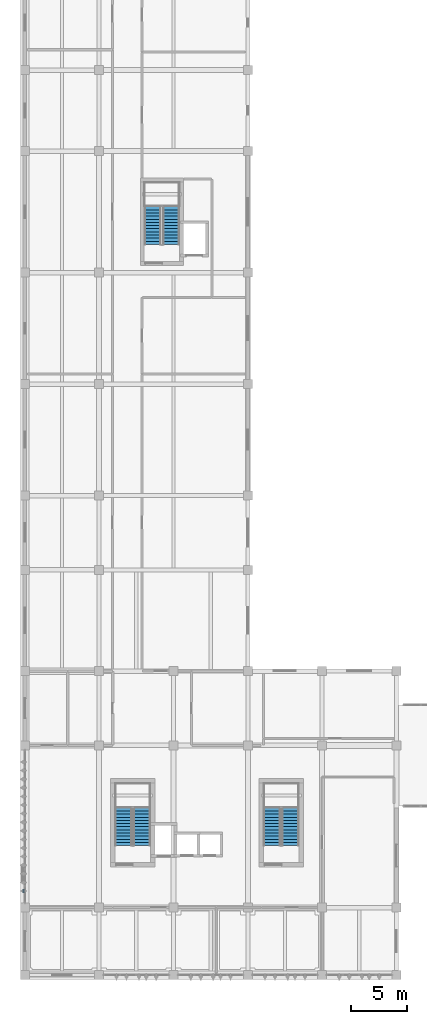
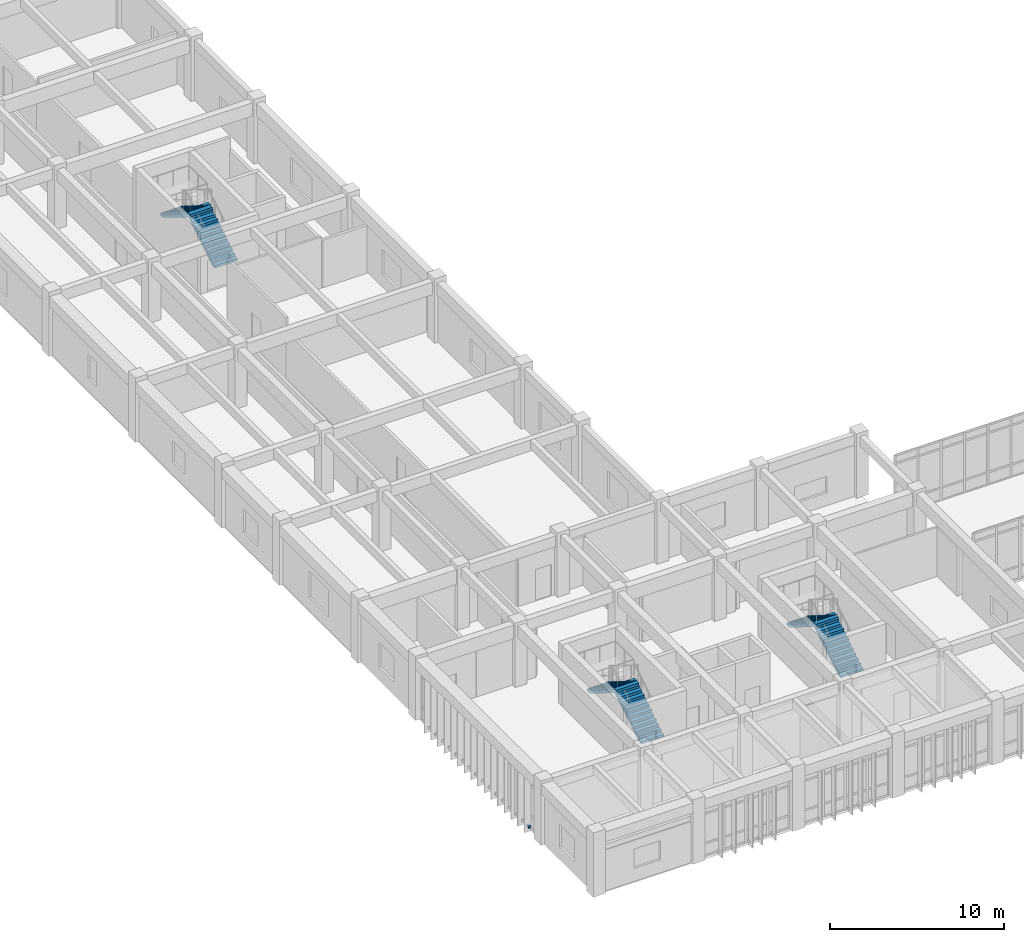
# One storey, part 47 of 54: 6 stair flights, 1 discrete accessory, 3 elements without a shape of their own.
"""IFC4 building model written with IfcOpenShell, lengths in metres."""

from ifc_helpers import new_model, si_unit, direction, frame, origin, origin_2d, place, context, subcontext, project, spatial, polyline, rectangle, outline, extrude, material, layer, layer_set, type_object, element, aggregate, save


model = new_model("IFC4")

# Units and contexts
model_context = context("Model", 3, precision=1e-05, world=origin(), true_north=direction((0.0, 1.0)))
body_context = subcontext(model_context, "Body", "Model", "MODEL_VIEW")
ifc_project = project(units=[si_unit("LENGTHUNIT", "METRE"), si_unit("AREAUNIT", "SQUARE_METRE"), si_unit("VOLUMEUNIT", "CUBIC_METRE"), si_unit("PLANEANGLEUNIT", "RADIAN"), si_unit("MASSUNIT", "GRAM", prefix="KILO")], contexts=[model_context])

# Site, building, storey
site_placement = place(None, origin())
site = spatial("IfcSite", under=ifc_project, at=site_placement, CompositionType="ELEMENT")
building_placement = place(site_placement, origin())
building = spatial("IfcBuilding", under=site, at=building_placement, Name="Miralva Faculty of Natural Sciences", CompositionType="ELEMENT")
storey_placement = place(building_placement, frame((0.0, 0.0, 19.5)))
storey = spatial("IfcBuildingStorey", under=building, at=storey_placement, Name="L04", CompositionType="ELEMENT", Elevation=19.5)

# Stair, stair flights
ifc_material_1 = material(Name="Concrete C40/50", Category="concrete")
stair_type = type_object("IfcStairType", Name="ST-CORE-450", PredefinedType="HALF_TURN_STAIR", material=ifc_material_1)
stair_1_placement = place(storey_placement, origin())
stair_1 = element("IfcStair", 1, at=stair_1_placement, inside=storey, type_object=stair_type, Name="Exit Stair Core C1 (ST-03) L04", PredefinedType="HALF_TURN_STAIR")
ifc_layer = layer(ifc_material_1, 0.159912109375, Name="SFL-160-166")
ifc_layer_set = layer_set([ifc_layer], Name="Concrete C40/50")
stair_flight_type = type_object("IfcStairFlightType", Name="SFL-160-166", PredefinedType="STRAIGHT", material=ifc_layer_set)
stair_flight_1_placement = place(storey_placement, frame((13.39990234375, 14.5, 0.0), z_axis=(0.0, 0.0, 1.0), x_axis=(0.0, 1.0, 0.0)))
stair_flight_1 = element("IfcStairFlight", 2, at=stair_flight_1_placement, type_object=stair_flight_type, Name="ST-03 flight 1", NumberOfRisers=13, NumberOfTreads=12, PredefinedType="STRAIGHT", RiserHeight=0.173076923, TreadLength=0.28, context=body_context, shape_type="SweptSolid", body=[
    extrude(outline(polyline([(0.0, 0.0), (0.0, 0.173095703125), (0.280029296875, 0.173095703125), (0.280029296875, 0.34619140625), (0.56005859375, 0.34619140625), (0.56005859375, 0.519287109375), (0.840087890625, 0.519287109375), (0.840087890625, 0.6923828125), (1.1201171875, 0.6923828125), (1.1201171875, 0.865478515625), (1.39990234375, 0.865478515625), (1.39990234375, 1.03857421875), (1.679931640625, 1.03857421875), (1.679931640625, 1.21142578125), (1.9599609375, 1.21142578125), (1.9599609375, 1.384521484375), (2.239990234375, 1.384521484375), (2.239990234375, 1.5576171875), (2.52001953125, 1.5576171875), (2.52001953125, 1.730712890625), (2.800048828125, 1.730712890625), (2.800048828125, 1.90380859375), (3.080078125, 1.90380859375), (3.080078125, 2.076904296875), (3.360107421875, 2.076904296875), (3.360107421875, 2.25), (3.360107421875, 1.900634765625), (0.28515625, 0.0), (0.0, 0.0)])), frame((0.0, 0.75, 0.0), z_axis=(0.0, -1.0, 0.0), x_axis=(1.0, 0.0, 0.0)), (0.0, 0.0, 1.0), 1.5),
])
stair_flight_2_placement = place(storey_placement, frame((11.75, 17.860107421875, 2.25), z_axis=(0.0, 0.0, 1.0), x_axis=(0.0, -1.0, 0.0)))
stair_flight_2 = element("IfcStairFlight", 3, at=stair_flight_2_placement, type_object=stair_flight_type, Name="ST-03 flight 2", NumberOfRisers=13, NumberOfTreads=12, PredefinedType="STRAIGHT", RiserHeight=0.173076923, TreadLength=0.28, context=body_context, shape_type="SweptSolid", body=[
    extrude(outline(polyline([(0.0, 0.0), (0.0, 0.173095703125), (0.280029296875, 0.173095703125), (0.280029296875, 0.34619140625), (0.56005859375, 0.34619140625), (0.56005859375, 0.519287109375), (0.840087890625, 0.519287109375), (0.840087890625, 0.6923828125), (1.1201171875, 0.6923828125), (1.1201171875, 0.865478515625), (1.39990234375, 0.865478515625), (1.39990234375, 1.03857421875), (1.679931640625, 1.03857421875), (1.679931640625, 1.21142578125), (1.9599609375, 1.21142578125), (1.9599609375, 1.384521484375), (2.239990234375, 1.384521484375), (2.239990234375, 1.5576171875), (2.52001953125, 1.5576171875), (2.52001953125, 1.730712890625), (2.800048828125, 1.730712890625), (2.800048828125, 1.90380859375), (3.080078125, 1.90380859375), (3.080078125, 2.076904296875), (3.360107421875, 2.076904296875), (3.360107421875, 2.25), (3.360107421875, 1.900634765625), (0.28515625, 0.0), (0.0, 0.0)])), frame((0.0, 0.75, 0.0), z_axis=(0.0, -1.0, 0.0), x_axis=(1.0, 0.0, 0.0)), (0.0, 0.0, 1.0), 1.5),
])
aggregate(stair_1, [stair_flight_1, stair_flight_2])

stair_2_placement = place(storey_placement, origin())
stair_2 = element("IfcStair", 4, at=stair_2_placement, inside=storey, type_object=stair_type, Name="Exit Stair Core C1B (ST-03) L04", PredefinedType="HALF_TURN_STAIR")
stair_flight_3_placement = place(storey_placement, frame((26.60009765625, 14.5, 0.0), z_axis=(0.0, 0.0, 1.0), x_axis=(0.0, 1.0, 0.0)))
stair_flight_3 = element("IfcStairFlight", 5, at=stair_flight_3_placement, type_object=stair_flight_type, Name="ST-03 flight 1", NumberOfRisers=13, NumberOfTreads=12, PredefinedType="STRAIGHT", RiserHeight=0.173076923, TreadLength=0.28, context=body_context, shape_type="SweptSolid", body=[
    extrude(outline(polyline([(0.0, 0.0), (0.0, 0.173095703125), (0.280029296875, 0.173095703125), (0.280029296875, 0.34619140625), (0.56005859375, 0.34619140625), (0.56005859375, 0.519287109375), (0.840087890625, 0.519287109375), (0.840087890625, 0.6923828125), (1.1201171875, 0.6923828125), (1.1201171875, 0.865478515625), (1.39990234375, 0.865478515625), (1.39990234375, 1.03857421875), (1.679931640625, 1.03857421875), (1.679931640625, 1.21142578125), (1.9599609375, 1.21142578125), (1.9599609375, 1.384521484375), (2.239990234375, 1.384521484375), (2.239990234375, 1.5576171875), (2.52001953125, 1.5576171875), (2.52001953125, 1.730712890625), (2.800048828125, 1.730712890625), (2.800048828125, 1.90380859375), (3.080078125, 1.90380859375), (3.080078125, 2.076904296875), (3.360107421875, 2.076904296875), (3.360107421875, 2.25), (3.360107421875, 1.900634765625), (0.28515625, 0.0), (0.0, 0.0)])), frame((0.0, 0.75, 0.0), z_axis=(0.0, -1.0, 0.0), x_axis=(1.0, 0.0, 0.0)), (0.0, 0.0, 1.0), 1.5),
])
stair_flight_4_placement = place(storey_placement, frame((24.949951171875, 17.860107421875, 2.25), z_axis=(0.0, 0.0, 1.0), x_axis=(0.0, -1.0, 0.0)))
stair_flight_4 = element("IfcStairFlight", 6, at=stair_flight_4_placement, type_object=stair_flight_type, Name="ST-03 flight 2", NumberOfRisers=13, NumberOfTreads=12, PredefinedType="STRAIGHT", RiserHeight=0.173076923, TreadLength=0.28, context=body_context, shape_type="SweptSolid", body=[
    extrude(outline(polyline([(0.0, 0.0), (0.0, 0.173095703125), (0.280029296875, 0.173095703125), (0.280029296875, 0.34619140625), (0.56005859375, 0.34619140625), (0.56005859375, 0.519287109375), (0.840087890625, 0.519287109375), (0.840087890625, 0.6923828125), (1.1201171875, 0.6923828125), (1.1201171875, 0.865478515625), (1.39990234375, 0.865478515625), (1.39990234375, 1.03857421875), (1.679931640625, 1.03857421875), (1.679931640625, 1.21142578125), (1.9599609375, 1.21142578125), (1.9599609375, 1.384521484375), (2.239990234375, 1.384521484375), (2.239990234375, 1.5576171875), (2.52001953125, 1.5576171875), (2.52001953125, 1.730712890625), (2.800048828125, 1.730712890625), (2.800048828125, 1.90380859375), (3.080078125, 1.90380859375), (3.080078125, 2.076904296875), (3.360107421875, 2.076904296875), (3.360107421875, 2.25), (3.360107421875, 1.900634765625), (0.28515625, 0.0), (0.0, 0.0)])), frame((0.0, 0.75, 0.0), z_axis=(0.0, -1.0, 0.0), x_axis=(1.0, 0.0, 0.0)), (0.0, 0.0, 1.0), 1.5),
])
aggregate(stair_2, [stair_flight_3, stair_flight_4])

stair_3_placement = place(storey_placement, origin())
stair_3 = element("IfcStair", 7, at=stair_3_placement, inside=storey, type_object=stair_type, Name="Exit Stair Core C2 (ST-03) L04", PredefinedType="HALF_TURN_STAIR")
stair_flight_5_placement = place(storey_placement, frame((16.0, 67.89990234375, 0.0), z_axis=(0.0, 0.0, 1.0), x_axis=(0.0, 1.0, 0.0)))
stair_flight_5 = element("IfcStairFlight", 8, at=stair_flight_5_placement, type_object=stair_flight_type, Name="ST-03 flight 1", NumberOfRisers=13, NumberOfTreads=12, PredefinedType="STRAIGHT", RiserHeight=0.173076923, TreadLength=0.28, context=body_context, shape_type="SweptSolid", body=[
    extrude(outline(polyline([(0.0, 0.0), (0.0, 0.173095703125), (0.280029296875, 0.173095703125), (0.280029296875, 0.34619140625), (0.56005859375, 0.34619140625), (0.56005859375, 0.519287109375), (0.840087890625, 0.519287109375), (0.840087890625, 0.6923828125), (1.1201171875, 0.6923828125), (1.1201171875, 0.865478515625), (1.39990234375, 0.865478515625), (1.39990234375, 1.03857421875), (1.679931640625, 1.03857421875), (1.679931640625, 1.21142578125), (1.9599609375, 1.21142578125), (1.9599609375, 1.384521484375), (2.239990234375, 1.384521484375), (2.239990234375, 1.5576171875), (2.52001953125, 1.5576171875), (2.52001953125, 1.730712890625), (2.800048828125, 1.730712890625), (2.800048828125, 1.90380859375), (3.080078125, 1.90380859375), (3.080078125, 2.076904296875), (3.360107421875, 2.076904296875), (3.360107421875, 2.25), (3.360107421875, 1.900634765625), (0.28515625, 0.0), (0.0, 0.0)])), frame((0.0, 0.75, 0.0), z_axis=(0.0, -1.0, 0.0), x_axis=(1.0, 0.0, 0.0)), (0.0, 0.0, 1.0), 1.5),
])
stair_flight_6_placement = place(storey_placement, frame((14.35009765625, 71.260009765625, 2.25), z_axis=(0.0, 0.0, 1.0), x_axis=(0.0, -1.0, 0.0)))
stair_flight_6 = element("IfcStairFlight", 9, at=stair_flight_6_placement, type_object=stair_flight_type, Name="ST-03 flight 2", NumberOfRisers=13, NumberOfTreads=12, PredefinedType="STRAIGHT", RiserHeight=0.173076923, TreadLength=0.28, context=body_context, shape_type="SweptSolid", body=[
    extrude(outline(polyline([(0.0, 0.0), (0.0, 0.173095703125), (0.280029296875, 0.173095703125), (0.280029296875, 0.34619140625), (0.56005859375, 0.34619140625), (0.56005859375, 0.519287109375), (0.840087890625, 0.519287109375), (0.840087890625, 0.6923828125), (1.1201171875, 0.6923828125), (1.1201171875, 0.865478515625), (1.39990234375, 0.865478515625), (1.39990234375, 1.03857421875), (1.679931640625, 1.03857421875), (1.679931640625, 1.21142578125), (1.9599609375, 1.21142578125), (1.9599609375, 1.384521484375), (2.239990234375, 1.384521484375), (2.239990234375, 1.5576171875), (2.52001953125, 1.5576171875), (2.52001953125, 1.730712890625), (2.800048828125, 1.730712890625), (2.800048828125, 1.90380859375), (3.080078125, 1.90380859375), (3.080078125, 2.076904296875), (3.360107421875, 2.076904296875), (3.360107421875, 2.25), (3.360107421875, 1.900634765625), (0.28515625, 0.0), (0.0, 0.0)])), frame((0.0, 0.75, 0.0), z_axis=(0.0, -1.0, 0.0), x_axis=(1.0, 0.0, 0.0)), (0.0, 0.0, 1.0), 1.5),
])
aggregate(stair_3, [stair_flight_5, stair_flight_6])

# Discrete accessory
ifc_material_2 = material(Name="Steel S355", Category="steel")
discrete_accessory_type = type_object("IfcDiscreteAccessoryType", Name="ACC-BRK01", PredefinedType="BRACKET", material=ifc_material_2)
discrete_accessory_placement = place(storey_placement, frame((2.8798828125, 10.46728515625, 0.0400390625), z_axis=(0.0, 0.0, 1.0), x_axis=(-1.0, 0.0, 0.0)))
element("IfcDiscreteAccessory", 10, at=discrete_accessory_placement, inside=storey, type_object=discrete_accessory_type, Name="Solar fin bracket L04-317", PredefinedType="BRACKET", context=body_context, shape_type="SweptSolid", body=[
    extrude(rectangle(XDim=0.159912109375, YDim=0.239990234375, at=origin_2d()), origin(), (0.0, 0.0, 1.0), 0.159912109375),
])

save(model, "model.ifc")
